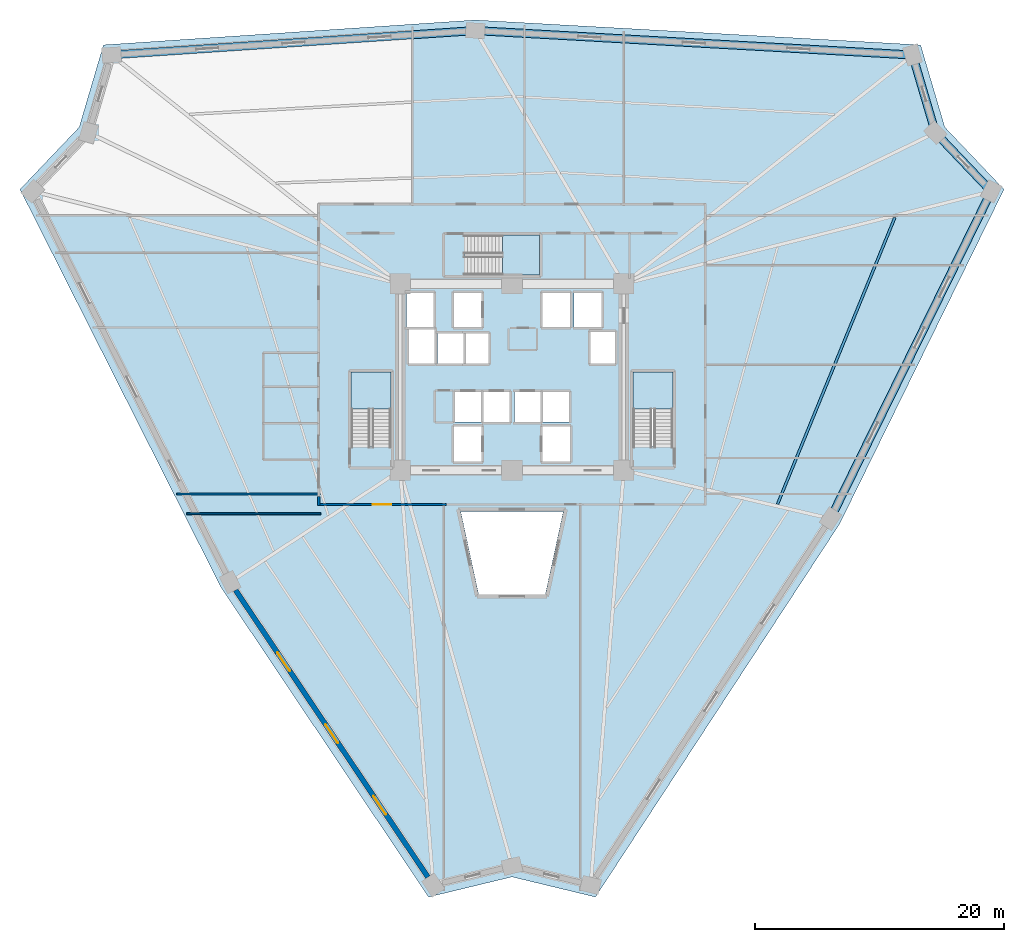
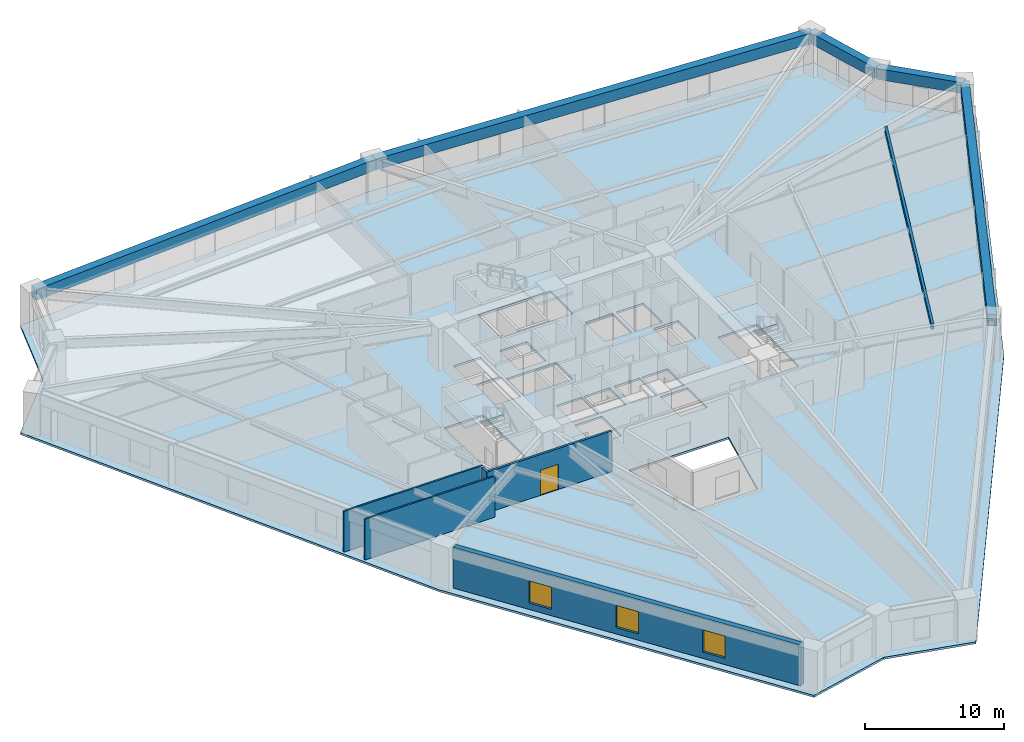
# One storey, part 2 of 11: 6 beams, 5 walls, 4 slabs, 3 windows, 1 door, 4 openings, 3 elements without a shape of their own.
"""IFC4 building model written with IfcOpenShell, lengths in metres."""

from ifc_helpers import new_model, si_unit, direction, frame, frame_2d, origin, origin_2d, place, context, subcontext, project, spatial, polyline, rectangle, i_section, outline, extrude, source, transform, mapped, material, layer, layer_set, material_profile, profile_set, type_object, element, fill, aggregate, save


model = new_model("IFC4")

# Units and contexts
model_context = context("Model", 3, precision=1e-05, world=origin(), true_north=direction((0.0, 1.0)))
body_context = subcontext(model_context, "Body", "Model", "MODEL_VIEW")
ifc_project = project(units=[si_unit("LENGTHUNIT", "METRE"), si_unit("AREAUNIT", "SQUARE_METRE"), si_unit("VOLUMEUNIT", "CUBIC_METRE"), si_unit("PLANEANGLEUNIT", "RADIAN"), si_unit("MASSUNIT", "GRAM", prefix="KILO")], contexts=[model_context])

# Site, building, storey
site_placement = place(None, origin())
site = spatial("IfcSite", under=ifc_project, at=site_placement, CompositionType="ELEMENT")
building_placement = place(site_placement, origin())
building = spatial("IfcBuilding", under=site, at=building_placement, Name="Liaohun Quay Tower", CompositionType="ELEMENT")
storey_placement = place(building_placement, frame((0.0, 0.0, 51.75)))
storey = spatial("IfcBuildingStorey", under=building, at=storey_placement, Name="L13", CompositionType="ELEMENT", Elevation=51.75)

# Beams
ifc_material_1 = material(Name="Steel Q355D", Category="steel")
ifc_material_profile_1 = material_profile(ifc_material_1, i_section(OverallWidth=0.199951171875, OverallDepth=0.449951171875, WebThickness=0.009033203125, FlangeThickness=0.013916015625, at=origin_2d()), Name="HN450x200x9x14")
ifc_profile_set_1 = profile_set([ifc_material_profile_1], Name="Steel Q355D")
beam_type_1 = type_object("IfcBeamType", Name="BM-SEC-J1", PredefinedType="JOIST", material=ifc_profile_set_1)
shared_shape_1 = source(origin(), body_context, "Body", "SweptSolid", [
    extrude(i_section(OverallWidth=0.199951171875, OverallDepth=0.449951171875, WebThickness=0.009033203125, FlangeThickness=0.013916015625, at=origin_2d()), origin(), (0.0, 0.0, 1.0), 24.935791015625),
])
beam_1_placement = place(storey_placement, frame((90.81298828125, 66.841064453125, 3.344970703125), z_axis=(-0.378932475666, -0.925424323695, 0.0), x_axis=(0.925424323695, -0.378932475666, 0.0)))
element("IfcBeam", 1, at=beam_1_placement, inside=storey, type_object=beam_type_1, Name="L13 Wing Secondary Floor Joist SJ-11", PredefinedType="JOIST", context=body_context, shape_type="MappedRepresentation", body=[
    mapped(shared_shape_1, transform((0.0, 0.0, 0.0), x_axis=(1.0, 0.0, 0.0), y_axis=(0.0, 1.0, 0.0), z_axis=(0.0, 0.0, 1.0), scale=1.0)),
])
ifc_material_2 = material(Name="Precast concrete C55", Category="concrete")
ifc_material_profile_2 = material_profile(ifc_material_2, rectangle(XDim=0.64990234375, YDim=0.949951171875, at=origin_2d()), Name="RC650x950")
ifc_profile_set_2 = profile_set([ifc_material_profile_2], Name="Precast concrete C55")
beam_type_2 = type_object("IfcBeamType", Name="BM-SPD-Z1", PredefinedType="SPANDREL", material=ifc_profile_set_2)
shared_shape_2 = source(origin(), body_context, "Body", "SweptSolid", [
    extrude(rectangle(XDim=0.64990234375, YDim=0.949951171875, at=origin_2d()), origin(), (0.0, 0.0, 1.0), 29.34423828125),
])
for number, where, z_axis, x_axis, name in (
    (2, (27.76708984375, 79.928955078125, 3.094970703125), (0.99776693469, 0.066791796205, 0.0), (-0.066791796205, 0.99776693469, 0.0), "L13 Precast Spandrel Beam PC05-PC06"),
    (3, (98.572021484375, 68.949951171875, 3.094970703125), (-0.44104627376, -0.897484364434, 0.0), (0.897484364434, -0.44104627376, 0.0), "L13 Precast Spandrel Beam PC09-PC10"),
):
    element("IfcBeam", number, at=place(storey_placement, frame(where, z_axis=z_axis, x_axis=x_axis)), inside=storey, type_object=beam_type_2, Name=name, PredefinedType="SPANDREL", context=body_context, shape_type="MappedRepresentation", body=[
        mapped(shared_shape_2, transform((0.0, 0.0, 0.0), x_axis=(1.0, 0.0, 0.0), y_axis=(0.0, 1.0, 0.0), z_axis=(0.0, 0.0, 1.0), scale=1.0)),
    ])
shared_shape_3 = source(origin(), body_context, "Body", "SweptSolid", [
    extrude(rectangle(XDim=0.64990234375, YDim=0.949951171875, at=origin_2d()), origin(), (0.0, 0.0, 1.0), 6.52099609375),
])
beam_2_placement = place(storey_placement, frame((94.076904296875, 73.674072265625, 3.094970703125), z_axis=(0.689329769443, -0.724447699257, 0.0), x_axis=(0.724447699257, 0.689329769443, 0.0)))
element("IfcBeam", 4, at=beam_2_placement, inside=storey, type_object=beam_type_2, Name="L13 Precast Spandrel Beam PC08-PC09", PredefinedType="SPANDREL", context=body_context, shape_type="MappedRepresentation", body=[
    mapped(shared_shape_3, transform((0.0, 0.0, 0.0), x_axis=(1.0, 0.0, 0.0), y_axis=(0.0, 1.0, 0.0), z_axis=(0.0, 0.0, 1.0), scale=1.0)),
])
shared_shape_4 = source(origin(), body_context, "Body", "SweptSolid", [
    extrude(rectangle(XDim=0.64990234375, YDim=0.949951171875, at=origin_2d()), origin(), (0.0, 0.0, 1.0), 35.244140625),
])
beam_3_placement = place(storey_placement, frame((57.0458984375, 81.888916015625, 3.094970703125), z_axis=(0.998443233179, -0.055777326212, 0.0), x_axis=(0.055777326212, 0.998443233179, 0.0)))
element("IfcBeam", 5, at=beam_3_placement, inside=storey, type_object=beam_type_2, Name="L13 Precast Spandrel Beam PC06-PC07", PredefinedType="SPANDREL", context=body_context, shape_type="MappedRepresentation", body=[
    mapped(shared_shape_4, transform((0.0, 0.0, 0.0), x_axis=(1.0, 0.0, 0.0), y_axis=(0.0, 1.0, 0.0), z_axis=(0.0, 0.0, 1.0), scale=1.0)),
])
shared_shape_5 = source(origin(), body_context, "Body", "SweptSolid", [
    extrude(rectangle(XDim=0.64990234375, YDim=0.949951171875, at=origin_2d()), origin(), (0.0, 0.0, 1.0), 6.514892578125),
])
beam_4_placement = place(storey_placement, frame((92.235107421875, 79.923095703125, 3.094970703125), z_axis=(0.282710021561, -0.959205423102, 0.0), x_axis=(0.959205423102, 0.282710021561, 0.0)))
element("IfcBeam", 6, at=beam_4_placement, inside=storey, type_object=beam_type_2, Name="L13 Precast Spandrel Beam PC07-PC08", PredefinedType="SPANDREL", context=body_context, shape_type="MappedRepresentation", body=[
    mapped(shared_shape_5, transform((0.0, 0.0, 0.0), x_axis=(1.0, 0.0, 0.0), y_axis=(0.0, 1.0, 0.0), z_axis=(0.0, 0.0, 1.0), scale=1.0)),
])

# Stair, slab
ifc_material_3 = material(Name="Concrete C45", Category="concrete")
stair_type = type_object("IfcStairType", Name="STR-CORE-OFF", PredefinedType="HALF_TURN_STAIR", material=ifc_material_3)
stair_1_placement = place(storey_placement, origin())
stair_1 = element("IfcStair", 7, at=stair_1_placement, inside=storey, type_object=stair_type, Name="L13 Smokeproof Core Exit Stair ST-1", PredefinedType="HALF_TURN_STAIR")
ifc_layer_1 = layer(ifc_material_3, 0.199951171875, Name="Concrete C45", Category="concrete")
ifc_layer_set_1 = layer_set([ifc_layer_1], Name="Concrete C45")
slab_type_1 = type_object("IfcSlabType", Name="SLB-LND-200", PredefinedType="LANDING", material=ifc_layer_set_1)
slab_1_placement = place(storey_placement, frame((0.0, 0.0, 1.675048828125)))
slab_1 = element("IfcSlab", 8, at=slab_1_placement, type_object=slab_type_1, Name="ST-1 landing 1", PredefinedType="LANDING", context=body_context, shape_type="SweptSolid", body=[
    extrude(outline(polyline([(50.280029296875, 51.429931640625), (50.280029296875, 54.419921875), (47.0400390625, 54.419921875), (47.0400390625, 51.429931640625), (50.280029296875, 51.429931640625)])), origin(), (0.0, 0.0, 1.0), 0.199951171875),
])
aggregate(stair_1, [slab_1])

stair_2_placement = place(storey_placement, origin())
stair_2 = element("IfcStair", 9, at=stair_2_placement, inside=storey, type_object=stair_type, Name="L13 Smokeproof Core Exit Stair ST-2", PredefinedType="HALF_TURN_STAIR")
slab_2_placement = place(storey_placement, frame((0.0, 0.0, 1.675048828125)))
slab_2 = element("IfcSlab", 10, at=slab_2_placement, type_object=slab_type_1, Name="ST-2 landing 1", PredefinedType="LANDING", context=body_context, shape_type="SweptSolid", body=[
    extrude(outline(polyline([(72.9599609375, 51.429931640625), (72.9599609375, 54.419921875), (69.719970703125, 54.419921875), (69.719970703125, 51.429931640625), (72.9599609375, 51.429931640625)])), origin(), (0.0, 0.0, 1.0), 0.199951171875),
])
aggregate(stair_2, [slab_2])

stair_3_placement = place(storey_placement, origin())
stair_3 = element("IfcStair", 11, at=stair_3_placement, inside=storey, type_object=stair_type, Name="L13 Smokeproof Core Exit Stair ST-3", PredefinedType="HALF_TURN_STAIR")
slab_3_placement = place(storey_placement, frame((0.0, 0.0, 1.675048828125)))
slab_3 = element("IfcSlab", 12, at=slab_3_placement, type_object=slab_type_1, Name="ST-3 landing 1", PredefinedType="LANDING", context=body_context, shape_type="SweptSolid", body=[
    extrude(outline(polyline([(59.22998046875, 62.199951171875), (62.219970703125, 62.199951171875), (62.219970703125, 65.43994140625), (59.22998046875, 65.43994140625), (59.22998046875, 62.199951171875)])), origin(), (0.0, 0.0, 1.0), 0.199951171875),
])
aggregate(stair_3, [slab_3])

# Slab
ifc_layer_2 = layer(ifc_material_3, 0.179931640625, Name="Concrete C45", Category="concrete")
ifc_layer_set_2 = layer_set([ifc_layer_2], Name="Concrete C45")
slab_type_2 = type_object("IfcSlabType", Name="SLB-OFF-180", PredefinedType="FLOOR", material=ifc_layer_set_2)
slab_4_placement = place(storey_placement, frame((0.0, 0.0, -0.179931640625)))
element("IfcSlab", 13, at=slab_4_placement, inside=storey, type_object=slab_type_2, Name="L13 Structural Floor Slab", PredefinedType="FLOOR", context=body_context, shape_type="SweptSolid", body=[
    extrude(outline(polyline([(53.284912109375, 12.156005859375), (60.0, 13.778076171875), (66.715087890625, 12.156005859375), (86.3701171875, 42.19189453125), (99.595947265625, 69.10693359375), (94.833984375, 74.111083984375), (92.881103515625, 80.738037109375), (57.041015625, 82.740966796875), (27.118896484375, 80.738037109375), (25.166015625, 74.111083984375), (20.404052734375, 69.10693359375), (36.589111328125, 37.06689453125), (53.284912109375, 12.156005859375)]), holes=[polyline([(57.56005859375, 47.2099609375), (57.56005859375, 50.030029296875), (55.340087890625, 50.030029296875), (55.340087890625, 47.2099609375), (57.56005859375, 47.2099609375)]), polyline([(50.280029296875, 54.419921875), (47.0400390625, 54.419921875), (47.0400390625, 48.409912109375), (50.280029296875, 48.409912109375), (50.280029296875, 54.419921875)]), polyline([(57.510009765625, 50.389892578125), (57.510009765625, 52.81005859375), (55.389892578125, 52.81005859375), (55.389892578125, 50.389892578125), (57.510009765625, 50.389892578125)]), polyline([(59.81005859375, 50.389892578125), (59.81005859375, 52.81005859375), (57.68994140625, 52.81005859375), (57.68994140625, 50.389892578125), (59.81005859375, 50.389892578125)]), polyline([(58.110107421875, 57.510009765625), (53.989990234375, 57.510009765625), (53.989990234375, 55.090087890625), (58.110107421875, 55.090087890625), (58.110107421875, 57.510009765625)]), polyline([(53.760009765625, 55.090087890625), (53.760009765625, 57.909912109375), (51.7099609375, 57.909912109375), (51.7099609375, 55.090087890625), (53.760009765625, 55.090087890625)]), polyline([(51.489990234375, 58.0400390625), (53.7099609375, 58.0400390625), (53.7099609375, 60.7900390625), (51.489990234375, 60.7900390625), (51.489990234375, 58.0400390625)]), polyline([(55.340087890625, 58.0400390625), (57.56005859375, 58.0400390625), (57.56005859375, 60.7900390625), (55.340087890625, 60.7900390625), (55.340087890625, 58.0400390625)]), polyline([(62.68408203125, 36.51611328125), (64.12890625, 43.199951171875), (55.87109375, 43.199951171875), (57.31591796875, 36.51611328125), (62.68408203125, 36.51611328125)]), polyline([(64.659912109375, 47.2099609375), (64.659912109375, 50.030029296875), (62.43994140625, 50.030029296875), (62.43994140625, 47.2099609375), (64.659912109375, 47.2099609375)]), polyline([(72.9599609375, 54.419921875), (69.719970703125, 54.419921875), (69.719970703125, 48.409912109375), (72.9599609375, 48.409912109375), (72.9599609375, 54.419921875)]), polyline([(62.31005859375, 50.389892578125), (62.31005859375, 52.81005859375), (60.18994140625, 52.81005859375), (60.18994140625, 50.389892578125), (62.31005859375, 50.389892578125)]), polyline([(64.610107421875, 50.389892578125), (64.610107421875, 52.81005859375), (62.489990234375, 52.81005859375), (62.489990234375, 50.389892578125), (64.610107421875, 50.389892578125)]), polyline([(68.2900390625, 55.090087890625), (68.2900390625, 57.659912109375), (66.2900390625, 57.659912109375), (66.2900390625, 55.090087890625), (68.2900390625, 55.090087890625)]), polyline([(64.659912109375, 58.0400390625), (64.659912109375, 60.7900390625), (62.43994140625, 60.7900390625), (62.43994140625, 58.0400390625), (64.659912109375, 58.0400390625)]), polyline([(64.989990234375, 58.0400390625), (67.2099609375, 58.0400390625), (67.2099609375, 60.7900390625), (64.989990234375, 60.7900390625), (64.989990234375, 58.0400390625)]), polyline([(56.2099609375, 62.199951171875), (62.219970703125, 62.199951171875), (62.219970703125, 65.43994140625), (56.2099609375, 65.43994140625), (56.2099609375, 62.199951171875)])]), origin(), (0.0, 0.0, 1.0), 0.179931640625),
])

# Wall, openings, windows
ifc_material_4 = material(Name="Precast concrete C50 insulated sandwich", Category="concrete")
ifc_layer_3 = layer(ifc_material_4, 0.419921875, Name="Precast concrete C50 insulated sandwich", Category="concrete")
ifc_layer_set_3 = layer_set([ifc_layer_3], Name="Precast concrete C50 insulated sandwich")
wall_type_1 = type_object("IfcWallType", Name="WAL-EXT-Z12", PredefinedType="SOLIDWALL", material=ifc_layer_set_3)
wall_1_placement = place(storey_placement, frame((37.75, 36.862060546875, 0.0), z_axis=(0.0, 0.0, 1.0), x_axis=(0.556718017368, -0.830701540349, 0.0)))
wall_1 = element("IfcWall", 14, at=wall_1_placement, inside=storey, type_object=wall_type_1, Name="L13 Brutalist Precast Pier Wall 11", PredefinedType="SOLIDWALL", context=body_context, shape_type="SweptSolid", body=[
    extrude(rectangle(XDim=27.81494140625, YDim=0.419921875, at=frame_2d((13.907470703125, 0.0))), origin(), (0.0, 0.0, 1.0), 3.570068359375),
])
shared_shape_6 = source(origin(), body_context, "Body", "SweptSolid", [
    extrude(rectangle(XDim=1.800048828125, YDim=1.949951171875, at=frame_2d((0.89990234375, 0.97509765625))), frame((0.0, 0.219970703125, 0.0), z_axis=(0.0, -1.0, 0.0), x_axis=(1.0, 0.0, 0.0)), (0.0, 0.0, 1.0), 0.43994140625),
])
opening_1_placement = place(wall_1_placement, frame((6.053955078125, 0.0, 0.550048828125)))
opening_1 = element("IfcOpeningElement", 15, at=opening_1_placement, cuts=wall_1, Name="Opening W01", PredefinedType="OPENING", context=body_context, shape_type="MappedRepresentation", body=[
    mapped(shared_shape_6, transform((0.0, 0.0, 0.0), x_axis=(1.0, 0.0, 0.0), y_axis=(0.0, 1.0, 0.0), z_axis=(0.0, 0.0, 1.0), scale=1.0)),
])
opening_2_placement = place(wall_1_placement, frame((13.007080078125, 0.0, 0.550048828125)))
opening_2 = element("IfcOpeningElement", 16, at=opening_2_placement, cuts=wall_1, Name="Opening W01", PredefinedType="OPENING", context=body_context, shape_type="MappedRepresentation", body=[
    mapped(shared_shape_6, transform((0.0, 0.0, 0.0), x_axis=(1.0, 0.0, 0.0), y_axis=(0.0, 1.0, 0.0), z_axis=(0.0, 0.0, 1.0), scale=1.0)),
])
opening_3_placement = place(wall_1_placement, frame((19.9609375, 0.0, 0.550048828125)))
opening_3 = element("IfcOpeningElement", 17, at=opening_3_placement, cuts=wall_1, Name="Opening W01", PredefinedType="OPENING", context=body_context, shape_type="MappedRepresentation", body=[
    mapped(shared_shape_6, transform((0.0, 0.0, 0.0), x_axis=(1.0, 0.0, 0.0), y_axis=(0.0, 1.0, 0.0), z_axis=(0.0, 0.0, 1.0), scale=1.0)),
])
ifc_material_5 = material(Name="Triple Low-E argon glazing in thermally broken aluminium", Category="aluminium")
window_type = type_object("IfcWindowType", Name="WIN-PUN-Z1", PartitioningType="DOUBLE_PANEL_VERTICAL", PredefinedType="WINDOW", material=ifc_material_5)
shared_shape_7 = source(origin(), body_context, "Body", "SweptSolid", [
    extrude(rectangle(XDim=1.800048828125, YDim=1.949951171875, at=frame_2d((0.89990234375, 0.97509765625))), frame((0.0, 0.030029296875, 0.0), z_axis=(0.0, -1.0, 0.0), x_axis=(1.0, 0.0, 0.0)), (0.0, 0.0, 1.0), 0.06005859375),
])
window_1_placement = place(opening_1_placement, origin())
window_1 = element("IfcWindow", 18, at=window_1_placement, inside=storey, type_object=window_type, Name="L13 Recessed Cold-Climate Punched Window 11-1", OverallHeight=1.949951171875, OverallWidth=1.800048828125, PartitioningType="DOUBLE_PANEL_VERTICAL", PredefinedType="WINDOW", context=body_context, shape_type="MappedRepresentation", body=[
    mapped(shared_shape_7, transform((0.0, 0.0, 0.0), x_axis=(1.0, 0.0, 0.0), y_axis=(0.0, 1.0, 0.0), z_axis=(0.0, 0.0, 1.0), scale=1.0)),
])
fill(opening_1, window_1)
window_2_placement = place(opening_2_placement, origin())
window_2 = element("IfcWindow", 19, at=window_2_placement, inside=storey, type_object=window_type, Name="L13 Recessed Cold-Climate Punched Window 11-2", OverallHeight=1.949951171875, OverallWidth=1.800048828125, PartitioningType="DOUBLE_PANEL_VERTICAL", PredefinedType="WINDOW", context=body_context, shape_type="MappedRepresentation", body=[
    mapped(shared_shape_7, transform((0.0, 0.0, 0.0), x_axis=(1.0, 0.0, 0.0), y_axis=(0.0, 1.0, 0.0), z_axis=(0.0, 0.0, 1.0), scale=1.0)),
])
fill(opening_2, window_2)
window_3_placement = place(opening_3_placement, origin())
window_3 = element("IfcWindow", 20, at=window_3_placement, inside=storey, type_object=window_type, Name="L13 Recessed Cold-Climate Punched Window 11-3", OverallHeight=1.949951171875, OverallWidth=1.800048828125, PartitioningType="DOUBLE_PANEL_VERTICAL", PredefinedType="WINDOW", context=body_context, shape_type="MappedRepresentation", body=[
    mapped(shared_shape_7, transform((0.0, 0.0, 0.0), x_axis=(1.0, 0.0, 0.0), y_axis=(0.0, 1.0, 0.0), z_axis=(0.0, 0.0, 1.0), scale=1.0)),
])
fill(opening_3, window_3)

# Wall, opening, door
ifc_material_6 = material(Name="Autoclaved aerated concrete blockwork", Category="masonry")
ifc_layer_4 = layer(ifc_material_6, 0.179931640625, Name="Autoclaved aerated concrete blockwork", Category="masonry")
ifc_layer_set_4 = layer_set([ifc_layer_4], Name="Autoclaved aerated concrete blockwork")
wall_type_2 = type_object("IfcWallType", Name="WAL-PRT-COR", PredefinedType="PARTITIONING", material=ifc_layer_set_4)
wall_2_placement = place(storey_placement, frame((54.715087890625, 43.739990234375, 0.0), z_axis=(0.0, 0.0, 1.0), x_axis=(-1.0, 0.0, 0.0)))
wall_2 = element("IfcWall", 21, at=wall_2_placement, inside=storey, type_object=wall_type_2, Name="L13 Interior Partition Wall 019", PredefinedType="PARTITIONING", context=body_context, shape_type="SweptSolid", body=[
    extrude(rectangle(XDim=10.344970703125, YDim=0.179931640625, at=frame_2d((5.17236328125, 0.0))), origin(), (0.0, 0.0, 1.0), 3.570068359375),
])
shared_shape_8 = source(origin(), body_context, "Body", "SweptSolid", [
    extrude(rectangle(XDim=1.5, YDim=2.199951171875, at=frame_2d((0.75, 1.10009765625))), frame((0.0, 0.099853515625, 0.0), z_axis=(0.0, -1.0, 0.0), x_axis=(1.0, 0.0, 0.0)), (0.0, 0.0, 1.0), 0.199951171875),
])
opening_4_placement = place(wall_2_placement, frame((4.423095703125, 0.0, 0.0)))
opening_4 = element("IfcOpeningElement", 22, at=opening_4_placement, cuts=wall_2, Name="Opening OD2", PredefinedType="OPENING", context=body_context, shape_type="MappedRepresentation", body=[
    mapped(shared_shape_8, transform((0.0, 0.0, 0.0), x_axis=(1.0, 0.0, 0.0), y_axis=(0.0, 1.0, 0.0), z_axis=(0.0, 0.0, 1.0), scale=1.0)),
])
ifc_material_7 = material(Name="Acoustic oak veneer double door")
door_type = type_object("IfcDoorType", Name="DOR-OFF-1500", OperationType="DOUBLE_DOOR_SINGLE_SWING", PredefinedType="DOOR", material=ifc_material_7)
shared_shape_9 = source(origin(), body_context, "Body", "SweptSolid", [
    extrude(rectangle(XDim=1.5, YDim=2.199951171875, at=frame_2d((0.75, 1.10009765625))), frame((0.0, 0.02490234375, 0.0), z_axis=(0.0, -1.0, 0.0), x_axis=(1.0, 0.0, 0.0)), (0.0, 0.0, 1.0), 0.050048828125),
])
door_placement = place(opening_4_placement, origin())
door = element("IfcDoor", 23, at=door_placement, inside=storey, type_object=door_type, Name="L13 Open-Plan Office Workplace 10 Door", OperationType="DOUBLE_DOOR_SINGLE_SWING", OverallHeight=2.199951171875, OverallWidth=1.5, PredefinedType="DOOR", context=body_context, shape_type="MappedRepresentation", body=[
    mapped(shared_shape_9, transform((0.0, 0.0, 0.0), x_axis=(1.0, 0.0, 0.0), y_axis=(0.0, 1.0, 0.0), z_axis=(0.0, 0.0, 1.0), scale=1.0)),
])
fill(opening_4, door)

# Walls
wall_3_placement = place(storey_placement, frame((44.43994140625, 43.669921875, 0.0), z_axis=(0.0, 0.0, 1.0), x_axis=(0.0, 1.0, 0.0)))
element("IfcWall", 24, at=wall_3_placement, inside=storey, type_object=wall_type_2, Name="L13 Interior Partition Wall 039", PredefinedType="PARTITIONING", context=body_context, shape_type="SweptSolid", body=[
    extrude(rectangle(XDim=0.715087890625, YDim=0.179931640625, at=frame_2d((0.357421875, 0.0))), origin(), (0.0, 0.0, 1.0), 3.570068359375),
])
ifc_material_8 = material(Name="Gypsum board on twin steel studs", Category="steel")
ifc_layer_5 = layer(ifc_material_8, 0.139892578125, Name="Gypsum board on twin steel studs", Category="steel")
ifc_layer_set_5 = layer_set([ifc_layer_5], Name="Gypsum board on twin steel studs")
wall_type_3 = type_object("IfcWallType", Name="WAL-PRT-OFF", PredefinedType="PARTITIONING", material=ifc_layer_set_5)
wall_4_placement = place(storey_placement, frame((44.60009765625, 43.0, 0.0), z_axis=(0.0, 0.0, 1.0), x_axis=(-1.0, 0.0, 0.0)))
element("IfcWall", 25, at=wall_4_placement, inside=storey, type_object=wall_type_3, Name="L13 Interior Partition Wall 041", PredefinedType="PARTITIONING", context=body_context, shape_type="SweptSolid", body=[
    extrude(rectangle(XDim=10.76220703125, YDim=0.139892578125, at=frame_2d((5.381103515625, 0.0))), origin(), (0.0, 0.0, 1.0), 3.570068359375),
])
wall_5_placement = place(storey_placement, frame((44.5400390625, 44.60009765625, 0.0), z_axis=(0.0, 0.0, 1.0), x_axis=(-1.0, 0.0, 0.0)))
element("IfcWall", 26, at=wall_5_placement, inside=storey, type_object=wall_type_3, Name="L13 Interior Partition Wall 042", PredefinedType="PARTITIONING", context=body_context, shape_type="SweptSolid", body=[
    extrude(rectangle(XDim=11.510009765625, YDim=0.139892578125, at=frame_2d((5.7548828125, 0.0))), origin(), (0.0, 0.0, 1.0), 3.570068359375),
])

save(model, "model.ifc")
